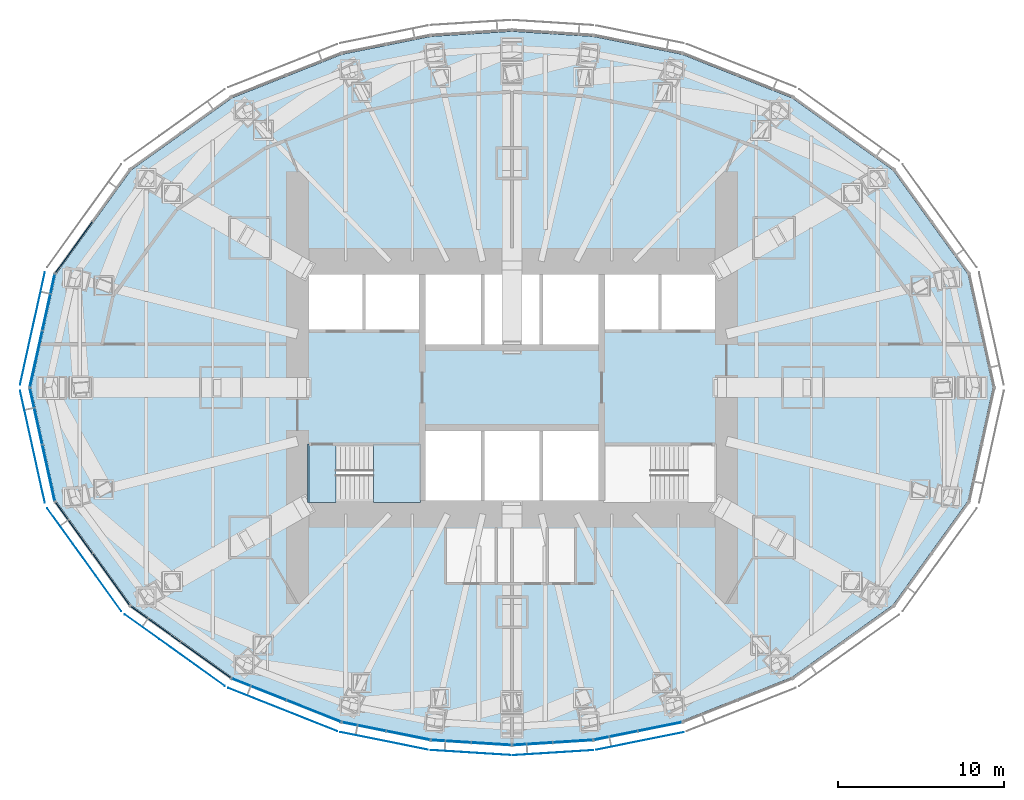
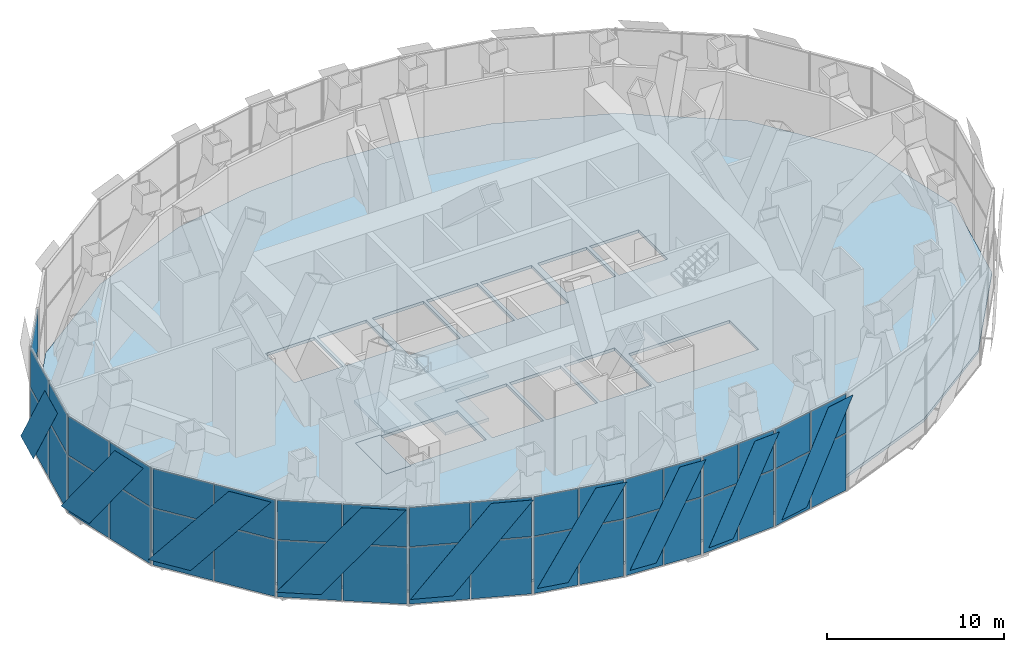
# One storey, part 11 of 19: 47 plates, 5 slabs, 11 elements without a shape of their own.
"""IFC4 building model written with IfcOpenShell, lengths in metres."""

from ifc_helpers import new_model, si_unit, direction, frame, origin, origin_2d, place, context, subcontext, project, spatial, polyline, rectangle, outline, extrude, material, layer, layer_set, type_object, element, aggregate, save


model = new_model("IFC4")

# Units and contexts
model_context = context("Model", 3, precision=1e-05, world=origin(), true_north=direction((0.0, 1.0)))
body_context = subcontext(model_context, "Body", "Model", "MODEL_VIEW")
ifc_project = project(units=[si_unit("LENGTHUNIT", "METRE"), si_unit("AREAUNIT", "SQUARE_METRE"), si_unit("VOLUMEUNIT", "CUBIC_METRE"), si_unit("PLANEANGLEUNIT", "RADIAN"), si_unit("MASSUNIT", "GRAM", prefix="KILO")], contexts=[model_context])

# Site, building, storey
site_placement = place(None, origin())
site = spatial("IfcSite", under=ifc_project, at=site_placement, CompositionType="ELEMENT")
building_placement = place(site_placement, origin())
building = spatial("IfcBuilding", under=site, at=building_placement, Name="Lantaw Convention Tower", CompositionType="ELEMENT")
storey_placement = place(building_placement, frame((0.0, 0.0, 193.0)))
storey = spatial("IfcBuildingStorey", under=building, at=storey_placement, Name="L45", CompositionType="ELEMENT", Elevation=193.0)

# Curtain wall, plates
ifc_material_1 = material(Name="Aluminium framed curtain wall", Category="aluminium")
curtain_wall_type = type_object("IfcCurtainWallType", Name="Plant floor louvre wall, pale aluminium", PredefinedType="USERDEFINED", material=ifc_material_1)
curtain_wall_1_placement = place(storey_placement, origin())
curtain_wall_1 = element("IfcCurtainWall", 1, at=curtain_wall_1_placement, inside=storey, type_object=curtain_wall_type, Name="Plant floor louvre wall, pale aluminium L45", ObjectType="LOUVRE WALL", PredefinedType="USERDEFINED")
ifc_material_2 = material(Name="Aluminium louvre blades", Category="aluminium")
ifc_layer_1 = layer(ifc_material_2, 0.050048828125)
ifc_layer_set_1 = layer_set([ifc_layer_1], Name="CW-LV panel 50")
plate_type_1 = type_object("IfcPlateType", Name="CW-LV panel 50", PredefinedType="CURTAIN_PANEL", material=ifc_layer_set_1)
plate_1_placement = place(storey_placement, frame((-26.347412109375, 8.435546875, -0.929931640625), z_axis=(0.0, 0.0, 1.0), x_axis=(-0.584512597221, -0.811384633629, 0.0)))
plate_1 = element("IfcPlate", 2, at=plate_1_placement, type_object=plate_type_1, Name="CW-LV panel 2.1", PredefinedType="CURTAIN_PANEL", context=body_context, shape_type="SweptSolid", body=[
    extrude(rectangle(XDim=3.760009765625, YDim=0.050048828125, at=origin_2d()), origin(), (0.0, 0.0, 1.0), 3.89501953125),
])
plate_2_placement = place(storey_placement, frame((-26.347412109375, 8.435546875, 3.03515625), z_axis=(0.0, 0.0, 1.0), x_axis=(-0.584512597221, -0.811384633629, 0.0)))
plate_2 = element("IfcPlate", 3, at=plate_2_placement, type_object=plate_type_1, Name="CW-LV panel 2.2", PredefinedType="CURTAIN_PANEL", context=body_context, shape_type="SweptSolid", body=[
    extrude(rectangle(XDim=3.760009765625, YDim=0.050048828125, at=origin_2d()), origin(), (0.0, 0.0, 1.0), 2.695068359375),
])
aggregate(curtain_wall_1, [plate_1, plate_2])

curtain_wall_2_placement = place(storey_placement, origin())
curtain_wall_2 = element("IfcCurtainWall", 4, at=curtain_wall_2_placement, inside=storey, type_object=curtain_wall_type, Name="Plant floor louvre wall, pale aluminium L45", ObjectType="LOUVRE WALL", PredefinedType="USERDEFINED")
plate_3_placement = place(storey_placement, frame((-27.869140625, 5.122802734375, -0.929931640625), z_axis=(0.0, 0.0, 1.0), x_axis=(-0.215546166174, -0.9764936509, 0.0)))
plate_3 = element("IfcPlate", 5, at=plate_3_placement, type_object=plate_type_1, Name="CW-LV panel 1.1", PredefinedType="CURTAIN_PANEL", context=body_context, shape_type="SweptSolid", body=[
    extrude(rectangle(XDim=3.404052734375, YDim=0.050048828125, at=origin_2d()), origin(), (0.0, 0.0, 1.0), 3.89501953125),
])
plate_4_placement = place(storey_placement, frame((-27.869140625, 5.122802734375, 3.03515625), z_axis=(0.0, 0.0, 1.0), x_axis=(-0.215546166174, -0.9764936509, 0.0)))
plate_4 = element("IfcPlate", 6, at=plate_4_placement, type_object=plate_type_1, Name="CW-LV panel 1.2", PredefinedType="CURTAIN_PANEL", context=body_context, shape_type="SweptSolid", body=[
    extrude(rectangle(XDim=3.404052734375, YDim=0.050048828125, at=origin_2d()), origin(), (0.0, 0.0, 1.0), 2.695068359375),
])
plate_5_placement = place(storey_placement, frame((-28.617919921875, 1.73046875, -0.929931640625), z_axis=(0.0, 0.0, 1.0), x_axis=(-0.215546166174, -0.9764936509, 0.0)))
plate_5 = element("IfcPlate", 7, at=plate_5_placement, type_object=plate_type_1, Name="CW-LV panel 2.1", PredefinedType="CURTAIN_PANEL", context=body_context, shape_type="SweptSolid", body=[
    extrude(rectangle(XDim=3.404052734375, YDim=0.050048828125, at=origin_2d()), origin(), (0.0, 0.0, 1.0), 3.89501953125),
])
plate_6_placement = place(storey_placement, frame((-28.617919921875, 1.73046875, 3.03515625), z_axis=(0.0, 0.0, 1.0), x_axis=(-0.215546166174, -0.9764936509, 0.0)))
plate_6 = element("IfcPlate", 8, at=plate_6_placement, type_object=plate_type_1, Name="CW-LV panel 2.2", PredefinedType="CURTAIN_PANEL", context=body_context, shape_type="SweptSolid", body=[
    extrude(rectangle(XDim=3.404052734375, YDim=0.050048828125, at=origin_2d()), origin(), (0.0, 0.0, 1.0), 2.695068359375),
])
aggregate(curtain_wall_2, [plate_3, plate_4, plate_5, plate_6])

curtain_wall_3_placement = place(storey_placement, origin())
curtain_wall_3 = element("IfcCurtainWall", 9, at=curtain_wall_3_placement, inside=storey, type_object=curtain_wall_type, Name="Plant floor louvre wall, pale aluminium L45", ObjectType="LOUVRE WALL", PredefinedType="USERDEFINED")
plate_7_placement = place(storey_placement, frame((-28.617919921875, -1.73046875, -0.929931640625), z_axis=(0.0, 0.0, 1.0), x_axis=(0.215546166174, -0.9764936509, 0.0)))
plate_7 = element("IfcPlate", 10, at=plate_7_placement, type_object=plate_type_1, Name="CW-LV panel 1.1", PredefinedType="CURTAIN_PANEL", context=body_context, shape_type="SweptSolid", body=[
    extrude(rectangle(XDim=3.404052734375, YDim=0.050048828125, at=origin_2d()), origin(), (0.0, 0.0, 1.0), 3.89501953125),
])
plate_8_placement = place(storey_placement, frame((-28.617919921875, -1.73046875, 3.03515625), z_axis=(0.0, 0.0, 1.0), x_axis=(0.215546166174, -0.9764936509, 0.0)))
plate_8 = element("IfcPlate", 11, at=plate_8_placement, type_object=plate_type_1, Name="CW-LV panel 1.2", PredefinedType="CURTAIN_PANEL", context=body_context, shape_type="SweptSolid", body=[
    extrude(rectangle(XDim=3.404052734375, YDim=0.050048828125, at=origin_2d()), origin(), (0.0, 0.0, 1.0), 2.695068359375),
])
plate_9_placement = place(storey_placement, frame((-27.869140625, -5.122802734375, -0.929931640625), z_axis=(0.0, 0.0, 1.0), x_axis=(0.215546166174, -0.9764936509, 0.0)))
plate_9 = element("IfcPlate", 12, at=plate_9_placement, type_object=plate_type_1, Name="CW-LV panel 2.1", PredefinedType="CURTAIN_PANEL", context=body_context, shape_type="SweptSolid", body=[
    extrude(rectangle(XDim=3.404052734375, YDim=0.050048828125, at=origin_2d()), origin(), (0.0, 0.0, 1.0), 3.89501953125),
])
plate_10_placement = place(storey_placement, frame((-27.869140625, -5.122802734375, 3.03515625), z_axis=(0.0, 0.0, 1.0), x_axis=(0.215546166174, -0.9764936509, 0.0)))
plate_10 = element("IfcPlate", 13, at=plate_10_placement, type_object=plate_type_1, Name="CW-LV panel 2.2", PredefinedType="CURTAIN_PANEL", context=body_context, shape_type="SweptSolid", body=[
    extrude(rectangle(XDim=3.404052734375, YDim=0.050048828125, at=origin_2d()), origin(), (0.0, 0.0, 1.0), 2.695068359375),
])
aggregate(curtain_wall_3, [plate_7, plate_8, plate_9, plate_10])

curtain_wall_4_placement = place(storey_placement, origin())
curtain_wall_4 = element("IfcCurtainWall", 14, at=curtain_wall_4_placement, inside=storey, type_object=curtain_wall_type, Name="Plant floor louvre wall, pale aluminium L45", ObjectType="LOUVRE WALL", PredefinedType="USERDEFINED")
plate_11_placement = place(storey_placement, frame((-26.347412109375, -8.435546875, -0.929931640625), z_axis=(0.0, 0.0, 1.0), x_axis=(0.584512597221, -0.811384633629, 0.0)))
plate_11 = element("IfcPlate", 15, at=plate_11_placement, type_object=plate_type_1, Name="CW-LV panel 1.1", PredefinedType="CURTAIN_PANEL", context=body_context, shape_type="SweptSolid", body=[
    extrude(rectangle(XDim=3.760009765625, YDim=0.050048828125, at=origin_2d()), origin(), (0.0, 0.0, 1.0), 3.89501953125),
])
plate_12_placement = place(storey_placement, frame((-26.347412109375, -8.435546875, 3.03515625), z_axis=(0.0, 0.0, 1.0), x_axis=(0.584512597221, -0.811384633629, 0.0)))
plate_12 = element("IfcPlate", 16, at=plate_12_placement, type_object=plate_type_1, Name="CW-LV panel 1.2", PredefinedType="CURTAIN_PANEL", context=body_context, shape_type="SweptSolid", body=[
    extrude(rectangle(XDim=3.760009765625, YDim=0.050048828125, at=origin_2d()), origin(), (0.0, 0.0, 1.0), 2.695068359375),
])
plate_13_placement = place(storey_placement, frame((-24.10888671875, -11.54296875, -0.929931640625), z_axis=(0.0, 0.0, 1.0), x_axis=(0.584512597221, -0.811384633629, 0.0)))
plate_13 = element("IfcPlate", 17, at=plate_13_placement, type_object=plate_type_1, Name="CW-LV panel 2.1", PredefinedType="CURTAIN_PANEL", context=body_context, shape_type="SweptSolid", body=[
    extrude(rectangle(XDim=3.760009765625, YDim=0.050048828125, at=origin_2d()), origin(), (0.0, 0.0, 1.0), 3.89501953125),
])
plate_14_placement = place(storey_placement, frame((-24.10888671875, -11.54296875, 3.03515625), z_axis=(0.0, 0.0, 1.0), x_axis=(0.584512597221, -0.811384633629, 0.0)))
plate_14 = element("IfcPlate", 18, at=plate_14_placement, type_object=plate_type_1, Name="CW-LV panel 2.2", PredefinedType="CURTAIN_PANEL", context=body_context, shape_type="SweptSolid", body=[
    extrude(rectangle(XDim=3.760009765625, YDim=0.050048828125, at=origin_2d()), origin(), (0.0, 0.0, 1.0), 2.695068359375),
])
aggregate(curtain_wall_4, [plate_11, plate_12, plate_13, plate_14])

curtain_wall_5_placement = place(storey_placement, origin())
curtain_wall_5 = element("IfcCurtainWall", 19, at=curtain_wall_5_placement, inside=storey, type_object=curtain_wall_type, Name="Plant floor louvre wall, pale aluminium L45", ObjectType="LOUVRE WALL", PredefinedType="USERDEFINED")
plate_15_placement = place(storey_placement, frame((-21.43310546875, -14.224365234375, -0.929931640625), z_axis=(0.0, 0.0, 1.0), x_axis=(0.813208325995, -0.581972695693, 0.0)))
plate_15 = element("IfcPlate", 20, at=plate_15_placement, type_object=plate_type_1, Name="CW-LV panel 1.1", PredefinedType="CURTAIN_PANEL", context=body_context, shape_type="SweptSolid", body=[
    extrude(rectangle(XDim=3.6376953125, YDim=0.050048828125, at=origin_2d()), origin(), (0.0, 0.0, 1.0), 3.89501953125),
])
plate_16_placement = place(storey_placement, frame((-21.43310546875, -14.224365234375, 3.03515625), z_axis=(0.0, 0.0, 1.0), x_axis=(0.813208325995, -0.581972695693, 0.0)))
plate_16 = element("IfcPlate", 21, at=plate_16_placement, type_object=plate_type_1, Name="CW-LV panel 1.2", PredefinedType="CURTAIN_PANEL", context=body_context, shape_type="SweptSolid", body=[
    extrude(rectangle(XDim=3.6376953125, YDim=0.050048828125, at=origin_2d()), origin(), (0.0, 0.0, 1.0), 2.695068359375),
])
plate_17_placement = place(storey_placement, frame((-18.417724609375, -16.38232421875, -0.929931640625), z_axis=(0.0, 0.0, 1.0), x_axis=(0.813208325995, -0.581972695693, 0.0)))
plate_17 = element("IfcPlate", 22, at=plate_17_placement, type_object=plate_type_1, Name="CW-LV panel 2.1", PredefinedType="CURTAIN_PANEL", context=body_context, shape_type="SweptSolid", body=[
    extrude(rectangle(XDim=3.6376953125, YDim=0.050048828125, at=origin_2d()), origin(), (0.0, 0.0, 1.0), 3.89501953125),
])
plate_18_placement = place(storey_placement, frame((-18.417724609375, -16.38232421875, 3.03515625), z_axis=(0.0, 0.0, 1.0), x_axis=(0.813208325995, -0.581972695693, 0.0)))
plate_18 = element("IfcPlate", 23, at=plate_18_placement, type_object=plate_type_1, Name="CW-LV panel 2.2", PredefinedType="CURTAIN_PANEL", context=body_context, shape_type="SweptSolid", body=[
    extrude(rectangle(XDim=3.6376953125, YDim=0.050048828125, at=origin_2d()), origin(), (0.0, 0.0, 1.0), 2.695068359375),
])
aggregate(curtain_wall_5, [plate_15, plate_16, plate_17, plate_18])

curtain_wall_6_placement = place(storey_placement, origin())
curtain_wall_6 = element("IfcCurtainWall", 24, at=curtain_wall_6_placement, inside=storey, type_object=curtain_wall_type, Name="Plant floor louvre wall, pale aluminium L45", ObjectType="LOUVRE WALL", PredefinedType="USERDEFINED")
plate_19_placement = place(storey_placement, frame((-15.20703125, -18.145751953125, -0.929931640625), z_axis=(0.0, 0.0, 1.0), x_axis=(0.929547687544, -0.368701907483, 0.0)))
plate_19 = element("IfcPlate", 25, at=plate_19_placement, type_object=plate_type_1, Name="CW-LV panel 1.1", PredefinedType="CURTAIN_PANEL", context=body_context, shape_type="SweptSolid", body=[
    extrude(rectangle(XDim=3.46337890625, YDim=0.050048828125, at=origin_2d()), origin(), (0.0, 0.0, 1.0), 3.89501953125),
])
plate_20_placement = place(storey_placement, frame((-15.20703125, -18.145751953125, 3.03515625), z_axis=(0.0, 0.0, 1.0), x_axis=(0.929547687544, -0.368701907483, 0.0)))
plate_20 = element("IfcPlate", 26, at=plate_20_placement, type_object=plate_type_1, Name="CW-LV panel 1.2", PredefinedType="CURTAIN_PANEL", context=body_context, shape_type="SweptSolid", body=[
    extrude(rectangle(XDim=3.46337890625, YDim=0.050048828125, at=origin_2d()), origin(), (0.0, 0.0, 1.0), 2.695068359375),
])
plate_21_placement = place(storey_placement, frame((-11.922607421875, -19.448486328125, -0.929931640625), z_axis=(0.0, 0.0, 1.0), x_axis=(0.929547687544, -0.368701907483, 0.0)))
plate_21 = element("IfcPlate", 27, at=plate_21_placement, type_object=plate_type_1, Name="CW-LV panel 2.1", PredefinedType="CURTAIN_PANEL", context=body_context, shape_type="SweptSolid", body=[
    extrude(rectangle(XDim=3.46337890625, YDim=0.050048828125, at=origin_2d()), origin(), (0.0, 0.0, 1.0), 3.89501953125),
])
plate_22_placement = place(storey_placement, frame((-11.922607421875, -19.448486328125, 3.03515625), z_axis=(0.0, 0.0, 1.0), x_axis=(0.929547687544, -0.368701907483, 0.0)))
plate_22 = element("IfcPlate", 28, at=plate_22_placement, type_object=plate_type_1, Name="CW-LV panel 2.2", PredefinedType="CURTAIN_PANEL", context=body_context, shape_type="SweptSolid", body=[
    extrude(rectangle(XDim=3.46337890625, YDim=0.050048828125, at=origin_2d()), origin(), (0.0, 0.0, 1.0), 2.695068359375),
])
aggregate(curtain_wall_6, [plate_19, plate_20, plate_21, plate_22])

curtain_wall_7_placement = place(storey_placement, origin())
curtain_wall_7 = element("IfcCurtainWall", 29, at=curtain_wall_7_placement, inside=storey, type_object=curtain_wall_type, Name="Plant floor louvre wall, pale aluminium L45", ObjectType="LOUVRE WALL", PredefinedType="USERDEFINED")
plate_23_placement = place(storey_placement, frame((-8.89208984375, -20.385986328125, -0.929931640625), z_axis=(0.0, 0.0, 1.0), x_axis=(0.980301514912, -0.197506809659, 0.0)))
plate_23 = element("IfcPlate", 30, at=plate_23_placement, type_object=plate_type_1, Name="CW-LV panel 1.1", PredefinedType="CURTAIN_PANEL", context=body_context, shape_type="SweptSolid", body=[
    extrude(rectangle(XDim=2.62646484375, YDim=0.050048828125, at=origin_2d()), origin(), (0.0, 0.0, 1.0), 3.89501953125),
])
plate_24_placement = place(storey_placement, frame((-8.89208984375, -20.385986328125, 3.03515625), z_axis=(0.0, 0.0, 1.0), x_axis=(0.980301514912, -0.197506809659, 0.0)))
plate_24 = element("IfcPlate", 31, at=plate_24_placement, type_object=plate_type_1, Name="CW-LV panel 1.2", PredefinedType="CURTAIN_PANEL", context=body_context, shape_type="SweptSolid", body=[
    extrude(rectangle(XDim=2.62646484375, YDim=0.050048828125, at=origin_2d()), origin(), (0.0, 0.0, 1.0), 2.695068359375),
])
plate_25_placement = place(storey_placement, frame((-6.24853515625, -20.918701171875, -0.929931640625), z_axis=(0.0, 0.0, 1.0), x_axis=(0.980301514912, -0.197506809659, 0.0)))
plate_25 = element("IfcPlate", 32, at=plate_25_placement, type_object=plate_type_1, Name="CW-LV panel 2.1", PredefinedType="CURTAIN_PANEL", context=body_context, shape_type="SweptSolid", body=[
    extrude(rectangle(XDim=2.62646484375, YDim=0.050048828125, at=origin_2d()), origin(), (0.0, 0.0, 1.0), 3.89501953125),
])
plate_26_placement = place(storey_placement, frame((-6.24853515625, -20.918701171875, 3.03515625), z_axis=(0.0, 0.0, 1.0), x_axis=(0.980301514912, -0.197506809659, 0.0)))
plate_26 = element("IfcPlate", 33, at=plate_26_placement, type_object=plate_type_1, Name="CW-LV panel 2.2", PredefinedType="CURTAIN_PANEL", context=body_context, shape_type="SweptSolid", body=[
    extrude(rectangle(XDim=2.62646484375, YDim=0.050048828125, at=origin_2d()), origin(), (0.0, 0.0, 1.0), 2.695068359375),
])
aggregate(curtain_wall_7, [plate_23, plate_24, plate_25, plate_26])

curtain_wall_8_placement = place(storey_placement, origin())
curtain_wall_8 = element("IfcCurtainWall", 34, at=curtain_wall_8_placement, inside=storey, type_object=curtain_wall_type, Name="Plant floor louvre wall, pale aluminium L45", ObjectType="LOUVRE WALL", PredefinedType="USERDEFINED")
plate_27_placement = place(storey_placement, frame((-3.65185546875, -21.27001953125, -0.929931640625), z_axis=(0.0, 0.0, 1.0), x_axis=(0.998022035978, -0.062865059466, 0.0)))
plate_27 = element("IfcPlate", 35, at=plate_27_placement, type_object=plate_type_1, Name="CW-LV panel 1.1", PredefinedType="CURTAIN_PANEL", context=body_context, shape_type="SweptSolid", body=[
    extrude(rectangle(XDim=2.34619140625, YDim=0.050048828125, at=origin_2d()), origin(), (0.0, 0.0, 1.0), 3.89501953125),
])
plate_28_placement = place(storey_placement, frame((-3.65185546875, -21.27001953125, 3.03515625), z_axis=(0.0, 0.0, 1.0), x_axis=(0.998022035978, -0.062865059466, 0.0)))
plate_28 = element("IfcPlate", 36, at=plate_28_placement, type_object=plate_type_1, Name="CW-LV panel 1.2", PredefinedType="CURTAIN_PANEL", context=body_context, shape_type="SweptSolid", body=[
    extrude(rectangle(XDim=2.34619140625, YDim=0.050048828125, at=origin_2d()), origin(), (0.0, 0.0, 1.0), 2.695068359375),
])
plate_29_placement = place(storey_placement, frame((-1.240478515625, -21.421875, -0.929931640625), z_axis=(0.0, 0.0, 1.0), x_axis=(0.998022035978, -0.062865059466, 0.0)))
plate_29 = element("IfcPlate", 37, at=plate_29_placement, type_object=plate_type_1, Name="CW-LV panel 2.1", PredefinedType="CURTAIN_PANEL", context=body_context, shape_type="SweptSolid", body=[
    extrude(rectangle(XDim=2.34619140625, YDim=0.050048828125, at=origin_2d()), origin(), (0.0, 0.0, 1.0), 3.89501953125),
])
plate_30_placement = place(storey_placement, frame((-1.240478515625, -21.421875, 3.03515625), z_axis=(0.0, 0.0, 1.0), x_axis=(0.998022035978, -0.062865059466, 0.0)))
plate_30 = element("IfcPlate", 38, at=plate_30_placement, type_object=plate_type_1, Name="CW-LV panel 2.2", PredefinedType="CURTAIN_PANEL", context=body_context, shape_type="SweptSolid", body=[
    extrude(rectangle(XDim=2.34619140625, YDim=0.050048828125, at=origin_2d()), origin(), (0.0, 0.0, 1.0), 2.695068359375),
])
aggregate(curtain_wall_8, [plate_27, plate_28, plate_29, plate_30])

curtain_wall_9_placement = place(storey_placement, origin())
curtain_wall_9 = element("IfcCurtainWall", 39, at=curtain_wall_9_placement, inside=storey, type_object=curtain_wall_type, Name="Plant floor louvre wall, pale aluminium L45", ObjectType="LOUVRE WALL", PredefinedType="USERDEFINED")
plate_31_placement = place(storey_placement, frame((1.240478515625, -21.421875, -0.929931640625), z_axis=(0.0, 0.0, 1.0), x_axis=(0.998022035978, 0.062865059466, 0.0)))
plate_31 = element("IfcPlate", 40, at=plate_31_placement, type_object=plate_type_1, Name="CW-LV panel 1.1", PredefinedType="CURTAIN_PANEL", context=body_context, shape_type="SweptSolid", body=[
    extrude(rectangle(XDim=2.34619140625, YDim=0.050048828125, at=origin_2d()), origin(), (0.0, 0.0, 1.0), 3.89501953125),
])
plate_32_placement = place(storey_placement, frame((1.240478515625, -21.421875, 3.03515625), z_axis=(0.0, 0.0, 1.0), x_axis=(0.998022035978, 0.062865059466, 0.0)))
plate_32 = element("IfcPlate", 41, at=plate_32_placement, type_object=plate_type_1, Name="CW-LV panel 1.2", PredefinedType="CURTAIN_PANEL", context=body_context, shape_type="SweptSolid", body=[
    extrude(rectangle(XDim=2.34619140625, YDim=0.050048828125, at=origin_2d()), origin(), (0.0, 0.0, 1.0), 2.695068359375),
])
plate_33_placement = place(storey_placement, frame((3.65185546875, -21.27001953125, -0.929931640625), z_axis=(0.0, 0.0, 1.0), x_axis=(0.998022035978, 0.062865059466, 0.0)))
plate_33 = element("IfcPlate", 42, at=plate_33_placement, type_object=plate_type_1, Name="CW-LV panel 2.1", PredefinedType="CURTAIN_PANEL", context=body_context, shape_type="SweptSolid", body=[
    extrude(rectangle(XDim=2.34619140625, YDim=0.050048828125, at=origin_2d()), origin(), (0.0, 0.0, 1.0), 3.89501953125),
])
plate_34_placement = place(storey_placement, frame((3.65185546875, -21.27001953125, 3.03515625), z_axis=(0.0, 0.0, 1.0), x_axis=(0.998022035978, 0.062865059466, 0.0)))
plate_34 = element("IfcPlate", 43, at=plate_34_placement, type_object=plate_type_1, Name="CW-LV panel 2.2", PredefinedType="CURTAIN_PANEL", context=body_context, shape_type="SweptSolid", body=[
    extrude(rectangle(XDim=2.34619140625, YDim=0.050048828125, at=origin_2d()), origin(), (0.0, 0.0, 1.0), 2.695068359375),
])
aggregate(curtain_wall_9, [plate_31, plate_32, plate_33, plate_34])

curtain_wall_10_placement = place(storey_placement, origin())
curtain_wall_10 = element("IfcCurtainWall", 44, at=curtain_wall_10_placement, inside=storey, type_object=curtain_wall_type, Name="Plant floor louvre wall, pale aluminium L45", ObjectType="LOUVRE WALL", PredefinedType="USERDEFINED")
plate_35_placement = place(storey_placement, frame((6.24853515625, -20.918701171875, -0.929931640625), z_axis=(0.0, 0.0, 1.0), x_axis=(0.980301514912, 0.197506809659, 0.0)))
plate_35 = element("IfcPlate", 45, at=plate_35_placement, type_object=plate_type_1, Name="CW-LV panel 1.1", PredefinedType="CURTAIN_PANEL", context=body_context, shape_type="SweptSolid", body=[
    extrude(rectangle(XDim=2.62646484375, YDim=0.050048828125, at=origin_2d()), origin(), (0.0, 0.0, 1.0), 3.89501953125),
])
plate_36_placement = place(storey_placement, frame((6.24853515625, -20.918701171875, 3.03515625), z_axis=(0.0, 0.0, 1.0), x_axis=(0.980301514912, 0.197506809659, 0.0)))
plate_36 = element("IfcPlate", 46, at=plate_36_placement, type_object=plate_type_1, Name="CW-LV panel 1.2", PredefinedType="CURTAIN_PANEL", context=body_context, shape_type="SweptSolid", body=[
    extrude(rectangle(XDim=2.62646484375, YDim=0.050048828125, at=origin_2d()), origin(), (0.0, 0.0, 1.0), 2.695068359375),
])
plate_37_placement = place(storey_placement, frame((8.89208984375, -20.385986328125, -0.929931640625), z_axis=(0.0, 0.0, 1.0), x_axis=(0.980301514912, 0.197506809659, 0.0)))
plate_37 = element("IfcPlate", 47, at=plate_37_placement, type_object=plate_type_1, Name="CW-LV panel 2.1", PredefinedType="CURTAIN_PANEL", context=body_context, shape_type="SweptSolid", body=[
    extrude(rectangle(XDim=2.62646484375, YDim=0.050048828125, at=origin_2d()), origin(), (0.0, 0.0, 1.0), 3.89501953125),
])
plate_38_placement = place(storey_placement, frame((8.89208984375, -20.385986328125, 3.03515625), z_axis=(0.0, 0.0, 1.0), x_axis=(0.980301514912, 0.197506809659, 0.0)))
plate_38 = element("IfcPlate", 48, at=plate_38_placement, type_object=plate_type_1, Name="CW-LV panel 2.2", PredefinedType="CURTAIN_PANEL", context=body_context, shape_type="SweptSolid", body=[
    extrude(rectangle(XDim=2.62646484375, YDim=0.050048828125, at=origin_2d()), origin(), (0.0, 0.0, 1.0), 2.695068359375),
])
aggregate(curtain_wall_10, [plate_35, plate_36, plate_37, plate_38])

# Slab
ifc_material_3 = material(Name="Concrete C35/45", Category="concrete")
ifc_layer_2 = layer(ifc_material_3, 0.199951171875)
ifc_layer_set_2 = layer_set([ifc_layer_2], Name="Floor slab 200")
slab_type_1 = type_object("IfcSlabType", Name="Floor slab 200", PredefinedType="FLOOR", material=ifc_layer_set_2)
slab_1_placement = place(storey_placement, frame((0.0, 0.0, -0.199951171875)))
element("IfcSlab", 49, at=slab_1_placement, inside=storey, type_object=slab_type_1, Name="L45 floor slab", PredefinedType="FLOOR", context=body_context, shape_type="SweptSolid", body=[
    extrude(outline(polyline([(27.417236328125, -6.822021484375), (28.923095703125, 0.0), (27.417236328125, 6.822021484375), (22.915283203125, 13.0712890625), (16.845458984375, 17.415283203125), (10.2265625, 20.04052734375), (4.8828125, 21.1171875), (0.0, 21.4248046875), (-4.8828125, 21.1171875), (-10.2265625, 20.04052734375), (-16.845458984375, 17.415283203125), (-22.915283203125, 13.0712890625), (-27.417236328125, 6.822021484375), (-28.923095703125, 0.0), (-27.417236328125, -6.822021484375), (-22.915283203125, -13.0712890625), (-16.845458984375, -17.415283203125), (-10.2265625, -20.04052734375), (-4.8828125, -21.1171875), (0.0, -21.4248046875), (4.8828125, -21.1171875), (10.2265625, -20.04052734375), (16.845458984375, -17.415283203125), (22.915283203125, -13.0712890625), (27.417236328125, -6.822021484375)]), holes=[polyline([(-5.60009765625, -3.5), (-12.199951171875, -3.5), (-12.199951171875, -6.800048828125), (-5.60009765625, -6.800048828125), (-5.60009765625, -3.5)]), polyline([(-1.86669921875, -6.800048828125), (-1.86669921875, -2.60009765625), (-5.199951171875, -2.60009765625), (-5.199951171875, -6.800048828125), (-1.86669921875, -6.800048828125)]), polyline([(-1.86669921875, 2.60009765625), (-1.86669921875, 6.800048828125), (-5.199951171875, 6.800048828125), (-5.199951171875, 2.60009765625), (-1.86669921875, 2.60009765625)]), polyline([(1.666748046875, 6.800048828125), (-1.666748046875, 6.800048828125), (-1.666748046875, 2.60009765625), (1.666748046875, 2.60009765625), (1.666748046875, 6.800048828125)]), polyline([(-9.0, 3.5), (-9.0, 6.800048828125), (-12.199951171875, 6.800048828125), (-12.199951171875, 3.5), (-9.0, 3.5)]), polyline([(-5.60009765625, 3.5), (-5.60009765625, 6.800048828125), (-8.800048828125, 6.800048828125), (-8.800048828125, 3.5), (-5.60009765625, 3.5)]), polyline([(12.199951171875, -3.5), (5.60009765625, -3.5), (5.60009765625, -6.800048828125), (12.199951171875, -6.800048828125), (12.199951171875, -3.5)]), polyline([(1.666748046875, -6.800048828125), (1.666748046875, -2.60009765625), (-1.666748046875, -2.60009765625), (-1.666748046875, -6.800048828125), (1.666748046875, -6.800048828125)]), polyline([(5.199951171875, -6.800048828125), (5.199951171875, -2.60009765625), (1.86669921875, -2.60009765625), (1.86669921875, -6.800048828125), (5.199951171875, -6.800048828125)]), polyline([(5.199951171875, 6.800048828125), (1.86669921875, 6.800048828125), (1.86669921875, 2.60009765625), (5.199951171875, 2.60009765625), (5.199951171875, 6.800048828125)]), polyline([(8.800048828125, 3.5), (8.800048828125, 6.800048828125), (5.60009765625, 6.800048828125), (5.60009765625, 3.5), (8.800048828125, 3.5)]), polyline([(12.199951171875, 3.5), (12.199951171875, 6.800048828125), (9.0, 6.800048828125), (9.0, 3.5), (12.199951171875, 3.5)])]), origin(), (0.0, 0.0, 1.0), 0.199951171875),
])

# Plates
ifc_material_4 = material(Name="Perforated aluminium sheet, pale silver finish", Category="aluminium")
ifc_layer_3 = layer(ifc_material_4, 0.006103515625)
ifc_layer_set_3 = layer_set([ifc_layer_3], Name="Perforated aluminium solar SCREEN panel")
plate_type_2 = type_object("IfcPlateType", Name="Perforated aluminium solar SCREEN panel", PredefinedType="SHEET", material=ifc_layer_set_3)
plate_39_placement = place(storey_placement, frame((-28.08984375, 6.93505859375, -0.199951171875), z_axis=(0.976497812737, -0.215527309569, 2.3461789e-05), x_axis=(-0.215527309629, -0.976497813005, -1.172e-09)))
element("IfcPlate", 50, at=plate_39_placement, inside=storey, type_object=plate_type_2, Name="Solar SCREEN panel", PredefinedType="SHEET", context=body_context, shape_type="SweptSolid", body=[
    extrude(outline(polyline([(0.0, 0.0), (2.386131748388921, 1.6940658945086007e-21), (6.918240176095254, -6.165039072305349), (4.532055808734257, -6.165039066711932), (0.0, 0.0)])), origin(), (0.0, 0.0, -1.0), 0.006103515625),
])
plate_40_placement = place(storey_placement, frame((-29.5810546875, -0.179443359375, -0.199951171875), z_axis=(-0.976497812737, -0.215527309569, 2.3461789e-05), x_axis=(0.215527309629, -0.976497813005, 1.172e-09)))
element("IfcPlate", 51, at=plate_40_placement, inside=storey, type_object=plate_type_2, Name="Solar SCREEN panel", PredefinedType="SHEET", context=body_context, shape_type="SweptSolid", body=[
    extrude(outline(polyline([(0.0, 0.0), (2.386184367360998, -1.6940658945086007e-21), (6.918240190546627, 6.1650390560884105), (4.532108442157706, 6.165039061681704), (0.0, 0.0)])), origin(), (0.0, 0.0, -1.0), 0.006103515625),
])
plate_41_placement = place(storey_placement, frame((-27.94970703125, -7.248046875, -0.199951171875), z_axis=(-0.811395121853, -0.584498037289, 2.5263716e-05), x_axis=(0.584498037475, -0.811395122112, -6.86e-10)))
element("IfcPlate", 52, at=plate_41_placement, inside=storey, type_object=plate_type_2, Name="Solar SCREEN panel", PredefinedType="SHEET", context=body_context, shape_type="SweptSolid", body=[
    extrude(outline(polyline([(0.0, 0.0), (2.628222178575422, -6.776263578034403e-21), (7.629778257969264, 6.165039069700306), (5.001754173906076, 6.165039066095317), (0.0, 0.0)])), origin(), (0.0, 0.0, -1.0), 0.006103515625),
])
plate_42_placement = place(storey_placement, frame((-23.281005859375, -13.64697265625, -0.199951171875), z_axis=(-0.582000183956, -0.813188653271, 8.121964e-06), x_axis=(0.813188653298, -0.582000183975, 0.0)))
element("IfcPlate", 53, at=plate_42_placement, inside=storey, type_object=plate_type_2, Name="Solar SCREEN panel", PredefinedType="SHEET", context=body_context, shape_type="SweptSolid", body=[
    extrude(outline(polyline([(0.0, 0.0), (2.5450183911586484, 1.6940658945086007e-21), (7.385531276904658, 6.165039062703343), (4.840512885746009, 6.165039062703343), (0.0, 0.0)])), origin(), (0.0, 0.0, -1.0), 0.006103515625),
])
plate_43_placement = place(storey_placement, frame((-17.05859375, -18.063232421875, -0.199951171875), z_axis=(0.368708915378, 0.929544907824, 7.650228e-06), x_axis=(0.929544907851, -0.368708915389, 5e-10)))
element("IfcPlate", 54, at=plate_43_placement, inside=storey, type_object=plate_type_2, Name="Solar SCREEN panel", PredefinedType="SHEET", context=body_context, shape_type="SweptSolid", body=[
    extrude(outline(polyline([(0.0, 0.0), (2.4263803793049097, -8.470329472543003e-22), (7.0365496295669825, -6.165039059164441), (4.61003232741235, -6.165039061589298), (0.0, 0.0)])), origin(), (0.0, 0.0, -1.0), 0.006103515625),
])
plate_44_placement = place(storey_placement, frame((-10.318603515625, -20.716796875, -0.199951171875), z_axis=(-0.197556725519, -0.980291456369, 2.7795745e-05), x_axis=(0.980291456747, -0.197556725596, 0.0)))
element("IfcPlate", 55, at=plate_44_placement, inside=storey, type_object=plate_type_2, Name="Solar SCREEN panel", PredefinedType="SHEET", context=body_context, shape_type="SweptSolid", body=[
    extrude(outline(polyline([(0.0, 0.0), (1.8574075788555457, 1.6940658945086007e-21), (5.362987026845185, 6.165039064881565), (3.505579447989639, 6.165039064881565), (0.0, 0.0)])), origin(), (0.0, 0.0, -1.0), 0.006103515625),
])
plate_45_placement = place(storey_placement, frame((-4.880615234375, -21.7998046875, -0.199951171875), z_axis=(-0.062838799866, -0.998023689714, 1.235533e-06), x_axis=(0.998023689715, -0.062838799866, -6e-12)))
element("IfcPlate", 56, at=plate_45_placement, inside=storey, type_object=plate_type_2, Name="Solar SCREEN panel", PredefinedType="SHEET", context=body_context, shape_type="SweptSolid", body=[
    extrude(outline(polyline([(0.0, 0.0), (1.6666243269452135, 2.6469779601696886e-23), (4.802214797186689, 6.1650390625320135), (3.135346812114104, 6.165039062513057), (0.0, 0.0)])), origin(), (0.0, 0.0, -1.0), 0.006103515625),
])
plate_46_placement = place(storey_placement, frame((0.087890625, -22.1015625, -0.199951171875), z_axis=(-0.062838799866, 0.998023689714, 1.235533e-06), x_axis=(0.998023689715, 0.062838799866, 6e-12)))
element("IfcPlate", 57, at=plate_46_placement, inside=storey, type_object=plate_type_2, Name="Solar SCREEN panel", PredefinedType="SHEET", context=body_context, shape_type="SweptSolid", body=[
    extrude(outline(polyline([(0.0, 0.0), (1.6668679850725854, -2.6469779601696886e-23), (4.802214797256801, -6.165039062477401), (3.1355904703115876, -6.165039062496355), (0.0, 0.0)])), origin(), (0.0, 0.0, -1.0), 0.006103515625),
])
plate_47_placement = place(storey_placement, frame((5.061279296875, -21.776123046875, -0.199951171875), z_axis=(-0.197556725519, 0.980291456369, 2.7795745e-05), x_axis=(0.980291456747, 0.197556725596, 0.0)))
element("IfcPlate", 58, at=plate_47_placement, inside=storey, type_object=plate_type_2, Name="Solar SCREEN panel", PredefinedType="SHEET", context=body_context, shape_type="SweptSolid", body=[
    extrude(outline(polyline([(0.0, 0.0), (1.8574075788555457, -1.6940658945086007e-21), (5.362987026845185, -6.165039064881565), (3.505579447989639, -6.165039064881565), (0.0, 0.0)])), origin(), (0.0, 0.0, -1.0), 0.006103515625),
])

# Stair, slabs
stair_type = type_object("IfcStairType", Name="Exit stair 1500 riser 166.67 in 4 flights", PredefinedType="HALF_TURN_STAIR", material=ifc_material_3)
stair_placement = place(storey_placement, origin())
stair = element("IfcStair", 59, at=stair_placement, inside=storey, type_object=stair_type, Name="Exit stair S1 L45", PredefinedType="HALF_TURN_STAIR")
ifc_layer_4 = layer(ifc_material_3, 0.199951171875)
ifc_layer_set_4 = layer_set([ifc_layer_4], Name="Stair landing 200")
slab_type_2 = type_object("IfcSlabType", Name="Stair landing 200", PredefinedType="LANDING", material=ifc_layer_set_4)
slab_2_placement = place(storey_placement, frame((0.0, 0.0, -0.199951171875)))
slab_2 = element("IfcSlab", 60, at=slab_2_placement, type_object=slab_type_2, Name="S1 landing 1", PredefinedType="LANDING", context=body_context, shape_type="SweptSolid", body=[
    extrude(outline(polyline([(-12.199951171875, -6.89990234375), (-10.580078125, -6.89990234375), (-10.580078125, -3.39990234375), (-12.199951171875, -3.39990234375), (-12.199951171875, -6.89990234375)])), origin(), (0.0, 0.0, 1.0), 0.199951171875),
])
slab_3_placement = place(storey_placement, frame((0.0, 0.0, 1.300048828125)))
slab_3 = element("IfcSlab", 61, at=slab_3_placement, type_object=slab_type_2, Name="S1 landing 2", PredefinedType="LANDING", context=body_context, shape_type="SweptSolid", body=[
    extrude(outline(polyline([(-8.340087890625, -6.89990234375), (-5.5, -6.89990234375), (-5.5, -3.39990234375), (-8.340087890625, -3.39990234375), (-8.340087890625, -6.89990234375)])), origin(), (0.0, 0.0, 1.0), 0.199951171875),
])
slab_4_placement = place(storey_placement, frame((0.0, 0.0, 2.800048828125)))
slab_4 = element("IfcSlab", 62, at=slab_4_placement, type_object=slab_type_2, Name="S1 landing 3", PredefinedType="LANDING", context=body_context, shape_type="SweptSolid", body=[
    extrude(outline(polyline([(-12.300048828125, -6.89990234375), (-10.580078125, -6.89990234375), (-10.580078125, -3.39990234375), (-12.300048828125, -3.39990234375), (-12.300048828125, -6.89990234375)])), origin(), (0.0, 0.0, 1.0), 0.199951171875),
])
slab_5_placement = place(storey_placement, frame((0.0, 0.0, 4.300048828125)))
slab_5 = element("IfcSlab", 63, at=slab_5_placement, type_object=slab_type_2, Name="S1 landing 4", PredefinedType="LANDING", context=body_context, shape_type="SweptSolid", body=[
    extrude(outline(polyline([(-8.340087890625, -6.89990234375), (-5.5, -6.89990234375), (-5.5, -3.39990234375), (-8.340087890625, -3.39990234375), (-8.340087890625, -6.89990234375)])), origin(), (0.0, 0.0, 1.0), 0.199951171875),
])
aggregate(stair, [slab_2, slab_3, slab_4, slab_5])

save(model, "model.ifc")
